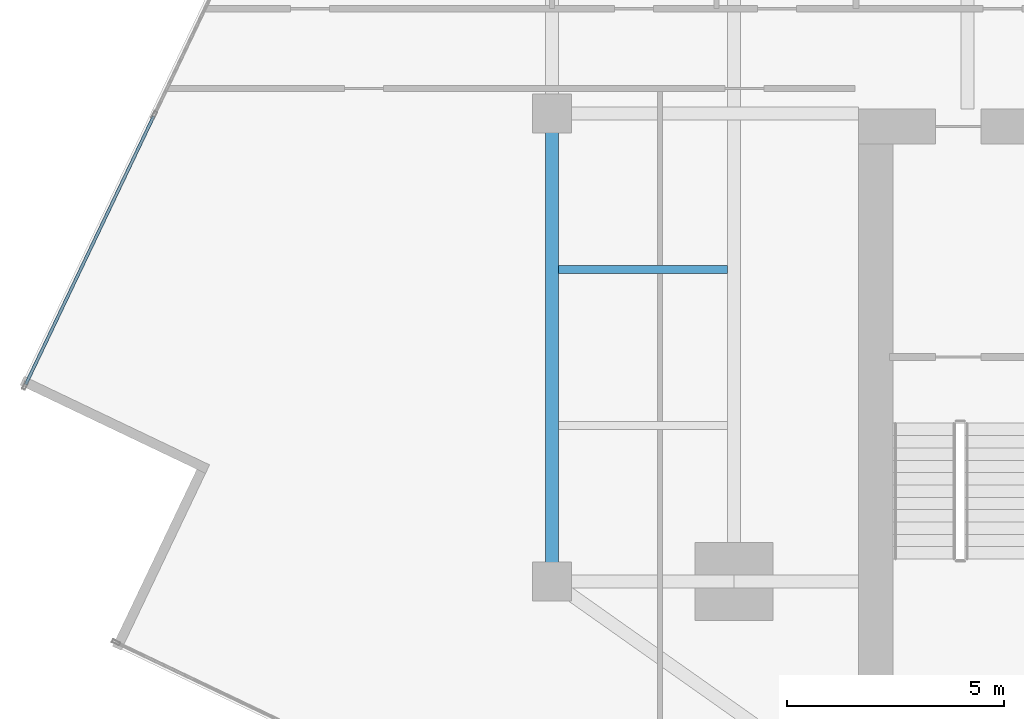
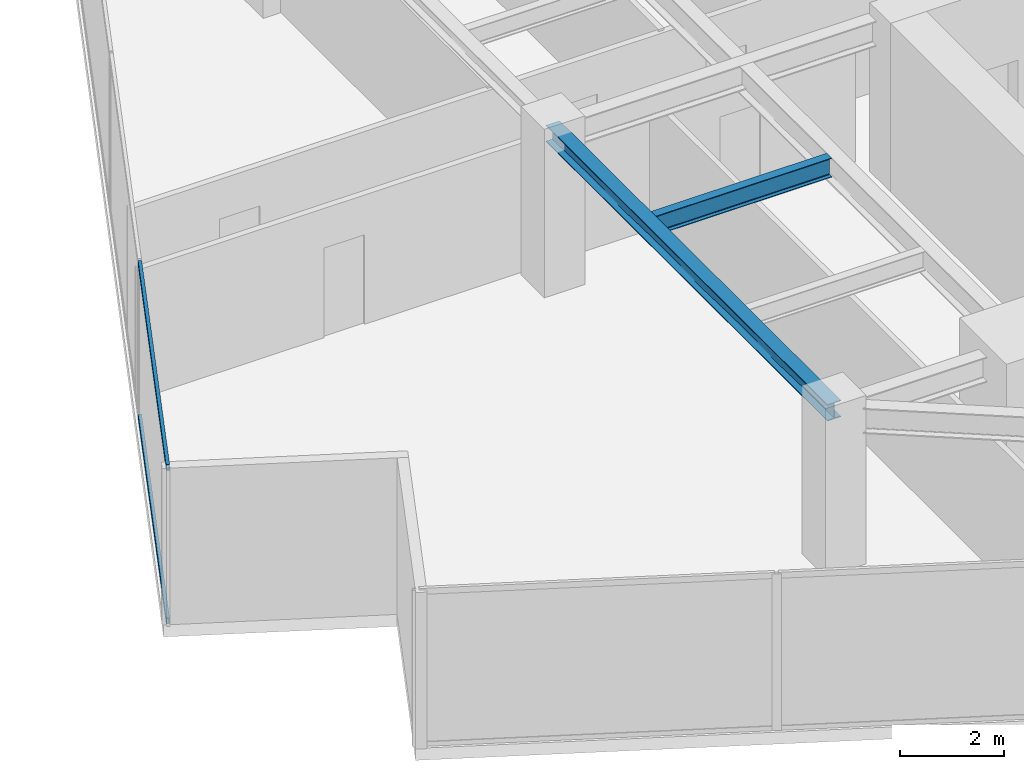
# One storey, part 6 of 25: 2 beams, 2 members, 1 element without a shape of its own.
"""IFC4 building model written with IfcOpenShell, lengths in metres."""

from ifc_helpers import new_model, si_unit, direction, frame, origin, origin_2d, place, context, subcontext, project, spatial, hollow_rectangle, i_section, extrude, source, transform, mapped, material, material_profile, profile_set, type_object, type_shapes, element, aggregate, save


model = new_model("IFC4")

# Units and contexts
model_context = context("Model", 3, precision=1e-05, world=origin(), true_north=direction((0.0, 1.0)))
body_context = subcontext(model_context, "Body", "Model", "MODEL_VIEW")
ifc_project = project(units=[si_unit("LENGTHUNIT", "METRE"), si_unit("AREAUNIT", "SQUARE_METRE"), si_unit("VOLUMEUNIT", "CUBIC_METRE"), si_unit("PLANEANGLEUNIT", "RADIAN"), si_unit("MASSUNIT", "GRAM", prefix="KILO")], contexts=[model_context])

# Site, building, storey
site_placement = place(None, origin())
site = spatial("IfcSite", under=ifc_project, at=site_placement, CompositionType="ELEMENT")
building_placement = place(site_placement, origin())
building = spatial("IfcBuilding", under=site, at=building_placement, Name="Krantzveldt Concourse Tower", CompositionType="ELEMENT")
storey_placement = place(building_placement, frame((0.0, 0.0, 146.199951171875)))
storey = spatial("IfcBuildingStorey", under=building, at=storey_placement, Name="L35", CompositionType="ELEMENT", Elevation=146.199951171875)

# Beams
ifc_material_1 = material(Name="Steel S355JR", Category="steel")
ifc_material_profile_1 = material_profile(ifc_material_1, i_section(OverallWidth=0.300048828125, OverallDepth=0.389892578125, WebThickness=0.010986328125, FlangeThickness=0.01904296875, FilletRadius=0.027099609375, at=origin_2d()), Name="Steel S355JR", Category="steel")
ifc_profile_set_1 = profile_set([ifc_material_profile_1], Name="Steel S355JR - HEA 400")
beam_type_1 = type_object("IfcBeamType", Name="BM-SP-HEA400", PredefinedType="SPANDREL", material=ifc_profile_set_1)
shared_shape_1 = source(origin(), body_context, "Body", "SweptSolid", [
    extrude(i_section(OverallWidth=0.300048828125, OverallDepth=0.389892578125, WebThickness=0.010986328125, FlangeThickness=0.01904296875, FilletRadius=0.027099609375, at=origin_2d()), origin(), (0.0, 0.0, 1.0), 10.800048828125),
])
type_shapes(beam_type_1, [shared_shape_1])
beam_1_placement = place(storey_placement, frame((21.0, 15.89990234375, 3.47509765625), z_axis=(0.0, 1.0, 0.0), x_axis=(-1.0, 0.0, 0.0)))
element("IfcBeam", 1, at=beam_1_placement, inside=storey, type_object=beam_type_1, Name="L35 Tower Girder SP-R01", PredefinedType="SPANDREL", context=body_context, shape_type="MappedRepresentation", body=[
    mapped(shared_shape_1, transform((0.0, 0.0, 0.0), x_axis=(1.0, 0.0, 0.0), y_axis=(0.0, 1.0, 0.0), z_axis=(0.0, 0.0, 1.0), scale=1.0)),
])
ifc_material_profile_2 = material_profile(ifc_material_1, i_section(OverallWidth=0.18994140625, OverallDepth=0.449951171875, WebThickness=0.009521484375, FlangeThickness=0.0146484375, FilletRadius=0.02099609375, at=origin_2d()), Name="Steel S355JR", Category="steel")
ifc_profile_set_2 = profile_set([ifc_material_profile_2], Name="Steel S355JR - IPE 450")
beam_type_2 = type_object("IfcBeamType", Name="BM-J-IPE450", PredefinedType="JOIST", material=ifc_profile_set_2)
shared_shape_2 = source(origin(), body_context, "Body", "SweptSolid", [
    extrude(i_section(OverallWidth=0.18994140625, OverallDepth=0.449951171875, WebThickness=0.009521484375, FlangeThickness=0.0146484375, FilletRadius=0.02099609375, at=origin_2d()), origin(), (0.0, 0.0, 1.0), 3.900146484375),
])
type_shapes(beam_type_2, [shared_shape_2])
beam_2_placement = place(storey_placement, frame((21.14990234375, 23.10009765625, 3.445068359375), z_axis=(1.0, 0.0, 0.0), x_axis=(0.0, 1.0, 0.0)))
element("IfcBeam", 2, at=beam_2_placement, inside=storey, type_object=beam_type_2, Name="L35 Secondary Floor Joist JW-2", PredefinedType="JOIST", context=body_context, shape_type="MappedRepresentation", body=[
    mapped(shared_shape_2, transform((0.0, 0.0, 0.0), x_axis=(1.0, 0.0, 0.0), y_axis=(0.0, 1.0, 0.0), z_axis=(0.0, 0.0, 1.0), scale=1.0)),
])

# Curtain wall, members
ifc_material_2 = material(Name="Anodised aluminium 6063-T6", Category="aluminium")
curtain_wall_type = type_object("IfcCurtainWallType", Name="CW3", PredefinedType="USERDEFINED", material=ifc_material_2)
curtain_wall_placement = place(storey_placement, origin())
curtain_wall = element("IfcCurtainWall", 3, at=curtain_wall_placement, inside=storey, type_object=curtain_wall_type, Name="CW-L35-F01", ObjectType="UNITISED CURTAIN WALL", PredefinedType="USERDEFINED")
ifc_material_profile_3 = material_profile(ifc_material_2, hollow_rectangle(XDim=0.070068359375, YDim=0.139892578125, WallThickness=0.0048828125, at=origin_2d()), Name="Anodised aluminium 6063-T6", Category="aluminium")
ifc_profile_set_3 = profile_set([ifc_material_profile_3], Name="Anodised aluminium 6063-T6 - ALU-TRAN 140x70x5")
member_type = type_object("IfcMemberType", Name="CW-TRN-150", PredefinedType="USERDEFINED", material=ifc_profile_set_3)
shared_shape_3 = source(origin(), body_context, "Body", "SweptSolid", [
    extrude(hollow_rectangle(XDim=0.070068359375, YDim=0.139892578125, WallThickness=0.0048828125, at=origin_2d()), origin(), (0.0, 0.0, 1.0), 6.854736328125),
])
type_shapes(member_type, [shared_shape_3])
member_1_placement = place(storey_placement, frame((11.804931640625, 26.634765625, 0.03515625), z_axis=(-0.430525199444, -0.902578557603, 0.0), x_axis=(0.902578557603, -0.430525199444, 0.0)))
member_1 = element("IfcMember", 4, at=member_1_placement, type_object=member_type, Name="CW-Z34 transom 5.1", ObjectType="TRANSOM", PredefinedType="USERDEFINED", context=body_context, shape_type="MappedRepresentation", body=[
    mapped(shared_shape_3, transform((0.0, 0.0, 0.0), x_axis=(1.0, 0.0, 0.0), y_axis=(0.0, 1.0, 0.0), z_axis=(0.0, 0.0, 1.0), scale=1.0)),
])
member_2_placement = place(storey_placement, frame((11.804931640625, 26.634765625, 3.635009765625), z_axis=(-0.430525199444, -0.902578557603, 0.0), x_axis=(0.902578557603, -0.430525199444, 0.0)))
member_2 = element("IfcMember", 5, at=member_2_placement, type_object=member_type, Name="CW-Z34 transom 5.2", ObjectType="TRANSOM", PredefinedType="USERDEFINED", context=body_context, shape_type="MappedRepresentation", body=[
    mapped(shared_shape_3, transform((0.0, 0.0, 0.0), x_axis=(1.0, 0.0, 0.0), y_axis=(0.0, 1.0, 0.0), z_axis=(0.0, 0.0, 1.0), scale=1.0)),
])
aggregate(curtain_wall, [member_1, member_2])

save(model, "model.ifc")
